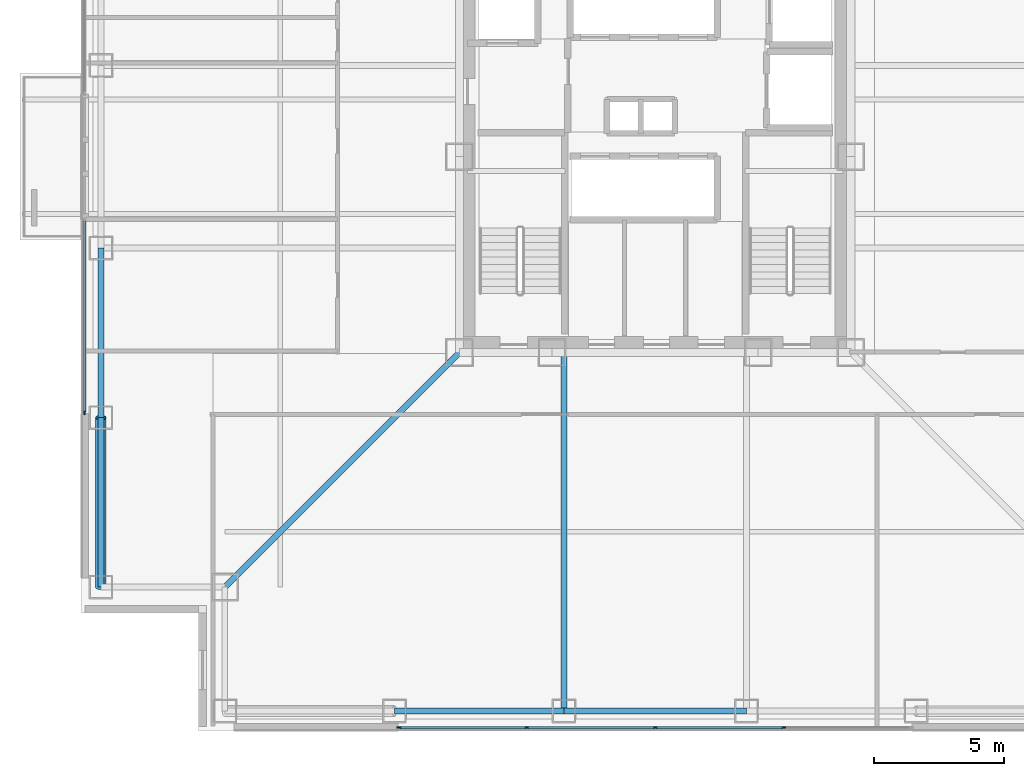
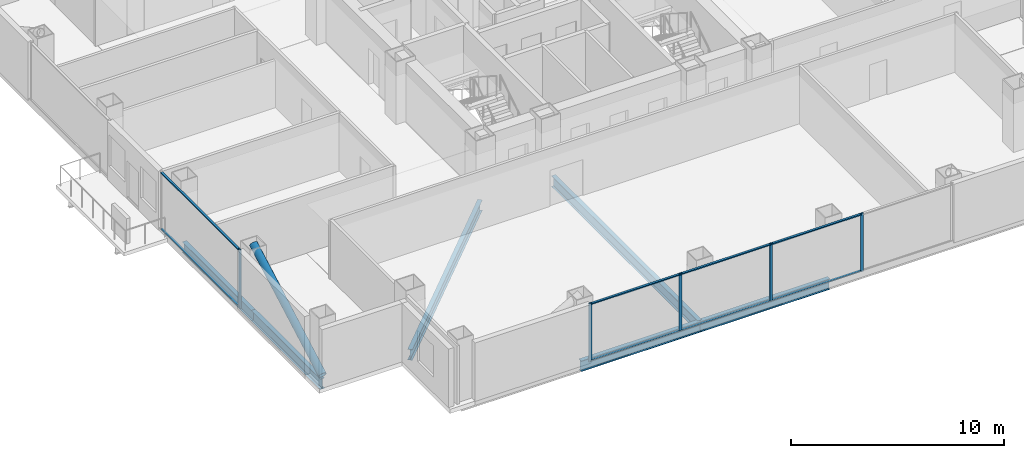
# One storey, part 2 of 16: 14 members, 6 beams, 2 elements without a shape of their own.
"""IFC4 building model written with IfcOpenShell, lengths in metres."""

from ifc_helpers import new_model, si_unit, direction, frame, origin, origin_2d, place, context, subcontext, project, spatial, rectangle, hollow_circle, i_section, extrude, material, layer, layer_set, material_profile, profile_set, type_object, element, aggregate, save


model = new_model("IFC4")

# Units and contexts
model_context = context("Model", 3, precision=1e-05, world=origin(), true_north=direction((0.0, 1.0)))
body_context = subcontext(model_context, "Body", "Model", "MODEL_VIEW")
ifc_project = project(units=[si_unit("LENGTHUNIT", "METRE"), si_unit("AREAUNIT", "SQUARE_METRE"), si_unit("VOLUMEUNIT", "CUBIC_METRE"), si_unit("PLANEANGLEUNIT", "RADIAN"), si_unit("MASSUNIT", "GRAM", prefix="KILO")], contexts=[model_context])

# Site, building, storey
site_placement = place(None, origin())
site = spatial("IfcSite", under=ifc_project, at=site_placement, CompositionType="ELEMENT")
building_placement = place(site_placement, origin())
building = spatial("IfcBuilding", under=site, at=building_placement, Name="Trevonay Congress Spire", CompositionType="ELEMENT")
storey_placement = place(building_placement, frame((0.0, 0.0, 144.39990234375)))
storey = spatial("IfcBuildingStorey", under=building, at=storey_placement, Name="L37", CompositionType="ELEMENT", Elevation=144.39990234375)

# Beams
ifc_material_1 = material(Name="Steel ASTM A572 Grade 50", Category="steel")
ifc_material_profile_1 = material_profile(ifc_material_1, i_section(OverallWidth=0.22998046875, OverallDepth=0.616943359375, WebThickness=0.01318359375, FlangeThickness=0.022216796875, FilletRadius=0.01611328125, at=origin_2d()), Name="W610x140")
ifc_profile_set_1 = profile_set([ifc_material_profile_1], Name="Steel ASTM A572 Grade 50")
beam_type_1 = type_object("IfcBeamType", Name="BM-GIRD-W610X140", PredefinedType="BEAM", material=ifc_profile_set_1)
beam_1_placement = place(storey_placement, frame((-7.5, -7.5, -0.54833984375), z_axis=(-0.707106781187, -0.707106781187, 0.0), x_axis=(0.707106781187, -0.707106781187, 0.0)))
element("IfcBeam", 1, at=beam_1_placement, inside=storey, type_object=beam_type_1, Name="L37 structural beam BM-L37-CDSW", PredefinedType="BEAM", context=body_context, shape_type="SweptSolid", body=[
    extrude(i_section(OverallWidth=0.22998046875, OverallDepth=0.616943359375, WebThickness=0.01318359375, FlangeThickness=0.022216796875, FilletRadius=0.01611328125, at=origin_2d()), origin(), (0.0, 0.0, 1.0), 12.72802734375),
])
beam_2_placement = place(storey_placement, frame((-3.5, -7.5, -0.54833984375), z_axis=(0.0, -1.0, 0.0), x_axis=(1.0, 0.0, 0.0)))
element("IfcBeam", 2, at=beam_2_placement, inside=storey, type_object=beam_type_1, Name="L37 structural beam BM-L37-GS-M", PredefinedType="BEAM", context=body_context, shape_type="SweptSolid", body=[
    extrude(i_section(OverallWidth=0.22998046875, OverallDepth=0.616943359375, WebThickness=0.01318359375, FlangeThickness=0.022216796875, FilletRadius=0.01611328125, at=origin_2d()), origin(), (0.0, 0.0, 1.0), 13.75),
])
ifc_material_profile_2 = material_profile(ifc_material_1, i_section(OverallWidth=0.22802734375, OverallDepth=0.60791015625, WebThickness=0.01123046875, FlangeThickness=0.017333984375, FilletRadius=0.01611328125, at=origin_2d()), Name="W610x113")
ifc_profile_set_2 = profile_set([ifc_material_profile_2], Name="Steel ASTM A572 Grade 50")
beam_type_2 = type_object("IfcBeamType", Name="BM-RING-W610X113", PredefinedType="BEAM", material=ifc_profile_set_2)
for number, where, z_axis, x_axis, name in (
    (3, (-21.25, -16.5, -0.5439453125), (0.0, 1.0, 0.0), (-1.0, 0.0, 0.0), "L37 structural beam BM-L37-PW1"),
    (4, (-10.0, -21.25, -0.5439453125), (1.0, 0.0, 0.0), (0.0, 1.0, 0.0), "L37 structural beam BM-L37-PS2"),
    (5, (-21.25, -10.0, -0.5439453125), (0.0, 1.0, 0.0), (-1.0, 0.0, 0.0), "L37 structural beam BM-L37-PW2"),
):
    element("IfcBeam", number, at=place(storey_placement, frame(where, z_axis=z_axis, x_axis=x_axis)), inside=storey, type_object=beam_type_2, Name=name, PredefinedType="BEAM", context=body_context, shape_type="SweptSolid", body=[
        extrude(i_section(OverallWidth=0.22802734375, OverallDepth=0.60791015625, WebThickness=0.01123046875, FlangeThickness=0.017333984375, FilletRadius=0.01611328125, at=origin_2d()), origin(), (0.0, 0.0, 1.0), 6.5),
    ])
beam_3_placement = place(storey_placement, frame((-3.5, -21.25, -0.5439453125), z_axis=(1.0, 0.0, 0.0), x_axis=(0.0, 1.0, 0.0)))
element("IfcBeam", 6, at=beam_3_placement, inside=storey, type_object=beam_type_2, Name="L37 structural beam BM-L37-PS3", PredefinedType="BEAM", context=body_context, shape_type="SweptSolid", body=[
    extrude(i_section(OverallWidth=0.22802734375, OverallDepth=0.60791015625, WebThickness=0.01123046875, FlangeThickness=0.017333984375, FilletRadius=0.01611328125, at=origin_2d()), origin(), (0.0, 0.0, 1.0), 7.0),
])

# Curtain wall, members
ifc_material_2 = material(Name="Pale Anodised Aluminium EN AW-6063-T6", Category="aluminium")
ifc_layer = layer(ifc_material_2, 0.175048828125, Name="Pale Anodised Aluminium EN AW-6063-T6")
ifc_layer_set = layer_set([ifc_layer], Name="Pale Anodised Aluminium EN AW-6063-T6")
curtain_wall_type = type_object("IfcCurtainWallType", Name="CW-SYS03-CONGRESS-PALE-METAL", PredefinedType="NOTDEFINED", material=ifc_layer_set)
curtain_wall_1_placement = place(storey_placement, origin())
curtain_wall_1 = element("IfcCurtainWall", 7, at=curtain_wall_1_placement, inside=storey, type_object=curtain_wall_type, Name="L37 S unitised curtain wall", PredefinedType="NOTDEFINED")
ifc_material_profile_3 = material_profile(ifc_material_2, rectangle(XDim=0.06005859375, YDim=0.159912109375, at=origin_2d()), Name="CW-MULLION-160-ALUMINIUM")
ifc_profile_set_3 = profile_set([ifc_material_profile_3], Name="Pale Anodised Aluminium EN AW-6063-T6")
member_type_1 = type_object("IfcMemberType", Name="CW-MULLION-160-ALUMINIUM", PredefinedType="MULLION", material=ifc_profile_set_3)
member_1_placement = place(storey_placement, frame((-9.820068359375, -21.8798828125, 0.0), z_axis=(0.0, 0.0, 1.0), x_axis=(0.0, 1.0, 0.0)))
member_1 = element("IfcMember", 8, at=member_1_placement, type_object=member_type_1, Name="CW03 mullion 1", PredefinedType="MULLION", context=body_context, shape_type="SweptSolid", body=[
    extrude(rectangle(XDim=0.06005859375, YDim=0.159912109375, at=origin_2d()), origin(), (0.0, 0.0, 1.0), 3.360107421875),
])
member_2_placement = place(storey_placement, frame((-4.925048828125, -21.8798828125, 0.0), z_axis=(0.0, 0.0, 1.0), x_axis=(0.0, 1.0, 0.0)))
member_2 = element("IfcMember", 9, at=member_2_placement, type_object=member_type_1, Name="CW03 mullion 2", PredefinedType="MULLION", context=body_context, shape_type="SweptSolid", body=[
    extrude(rectangle(XDim=0.06005859375, YDim=0.159912109375, at=origin_2d()), origin(), (0.0, 0.0, 1.0), 3.360107421875),
])
member_3_placement = place(storey_placement, frame((0.0, -21.8798828125, 0.0), z_axis=(0.0, 0.0, 1.0), x_axis=(0.0, 1.0, 0.0)))
member_3 = element("IfcMember", 10, at=member_3_placement, type_object=member_type_1, Name="CW03 mullion 3", PredefinedType="MULLION", context=body_context, shape_type="SweptSolid", body=[
    extrude(rectangle(XDim=0.06005859375, YDim=0.159912109375, at=origin_2d()), origin(), (0.0, 0.0, 1.0), 3.360107421875),
])
member_4_placement = place(storey_placement, frame((4.925048828125, -21.8798828125, 0.0), z_axis=(0.0, 0.0, 1.0), x_axis=(0.0, 1.0, 0.0)))
member_4 = element("IfcMember", 11, at=member_4_placement, type_object=member_type_1, Name="CW03 mullion 4", PredefinedType="MULLION", context=body_context, shape_type="SweptSolid", body=[
    extrude(rectangle(XDim=0.06005859375, YDim=0.159912109375, at=origin_2d()), origin(), (0.0, 0.0, 1.0), 3.360107421875),
])

# Curtain wall, member
curtain_wall_2_placement = place(storey_placement, origin())
curtain_wall_2 = element("IfcCurtainWall", 12, at=curtain_wall_2_placement, inside=storey, type_object=curtain_wall_type, Name="L37 WA unitised curtain wall", PredefinedType="NOTDEFINED")
member_5_placement = place(storey_placement, frame((-21.8798828125, -9.820068359375, 0.0), z_axis=(0.0, 0.0, 1.0), x_axis=(-1.0, 0.0, 0.0)))
member_5 = element("IfcMember", 13, at=member_5_placement, type_object=member_type_1, Name="CW03 mullion 1", PredefinedType="MULLION", context=body_context, shape_type="SweptSolid", body=[
    extrude(rectangle(XDim=0.06005859375, YDim=0.159912109375, at=origin_2d()), origin(), (0.0, 0.0, 1.0), 3.360107421875),
])

# Member
ifc_material_profile_4 = material_profile(ifc_material_2, rectangle(XDim=0.1201171875, YDim=0.06005859375, at=origin_2d()), Name="CW-TRANSOM-120-ALUMINIUM")
ifc_profile_set_4 = profile_set([ifc_material_profile_4], Name="Pale Anodised Aluminium EN AW-6063-T6")
member_type_2 = type_object("IfcMemberType", Name="CW-TRANSOM-120-ALUMINIUM", PredefinedType="USERDEFINED", material=ifc_profile_set_4)
member_6_placement = place(storey_placement, frame((-9.7900390625, -21.8798828125, 0.06005859375), z_axis=(1.0, 0.0, 0.0), x_axis=(0.0, 1.0, 0.0)))
member_6 = element("IfcMember", 14, at=member_6_placement, type_object=member_type_2, Name="CW03 transom 1.1", ObjectType="TRANSOM", PredefinedType="USERDEFINED", context=body_context, shape_type="SweptSolid", body=[
    extrude(rectangle(XDim=0.1201171875, YDim=0.06005859375, at=origin_2d()), origin(), (0.0, 0.0, 1.0), 4.8349609375),
])

member_7_placement = place(storey_placement, frame((-9.7900390625, -21.8798828125, 3.300048828125), z_axis=(1.0, 0.0, 0.0), x_axis=(0.0, 1.0, 0.0)))
member_7 = element("IfcMember", 15, at=member_7_placement, type_object=member_type_2, Name="CW03 transom 1.2", ObjectType="TRANSOM", PredefinedType="USERDEFINED", context=body_context, shape_type="SweptSolid", body=[
    extrude(rectangle(XDim=0.1201171875, YDim=0.06005859375, at=origin_2d()), origin(), (0.0, 0.0, 1.0), 4.8349609375),
])

member_8_placement = place(storey_placement, frame((-4.89501953125, -21.8798828125, 0.06005859375), z_axis=(1.0, 0.0, 0.0), x_axis=(0.0, 1.0, 0.0)))
member_8 = element("IfcMember", 16, at=member_8_placement, type_object=member_type_2, Name="CW03 transom 2.1", ObjectType="TRANSOM", PredefinedType="USERDEFINED", context=body_context, shape_type="SweptSolid", body=[
    extrude(rectangle(XDim=0.1201171875, YDim=0.06005859375, at=origin_2d()), origin(), (0.0, 0.0, 1.0), 4.864990234375),
])

member_9_placement = place(storey_placement, frame((-4.89501953125, -21.8798828125, 3.300048828125), z_axis=(1.0, 0.0, 0.0), x_axis=(0.0, 1.0, 0.0)))
member_9 = element("IfcMember", 17, at=member_9_placement, type_object=member_type_2, Name="CW03 transom 2.2", ObjectType="TRANSOM", PredefinedType="USERDEFINED", context=body_context, shape_type="SweptSolid", body=[
    extrude(rectangle(XDim=0.1201171875, YDim=0.06005859375, at=origin_2d()), origin(), (0.0, 0.0, 1.0), 4.864990234375),
])

member_10_placement = place(storey_placement, frame((0.030029296875, -21.8798828125, 0.06005859375), z_axis=(1.0, 0.0, 0.0), x_axis=(0.0, 1.0, 0.0)))
member_10 = element("IfcMember", 18, at=member_10_placement, type_object=member_type_2, Name="CW03 transom 3.1", ObjectType="TRANSOM", PredefinedType="USERDEFINED", context=body_context, shape_type="SweptSolid", body=[
    extrude(rectangle(XDim=0.1201171875, YDim=0.06005859375, at=origin_2d()), origin(), (0.0, 0.0, 1.0), 4.864990234375),
])

member_11_placement = place(storey_placement, frame((0.030029296875, -21.8798828125, 3.300048828125), z_axis=(1.0, 0.0, 0.0), x_axis=(0.0, 1.0, 0.0)))
member_11 = element("IfcMember", 19, at=member_11_placement, type_object=member_type_2, Name="CW03 transom 3.2", ObjectType="TRANSOM", PredefinedType="USERDEFINED", context=body_context, shape_type="SweptSolid", body=[
    extrude(rectangle(XDim=0.1201171875, YDim=0.06005859375, at=origin_2d()), origin(), (0.0, 0.0, 1.0), 4.864990234375),
])

aggregate(curtain_wall_1, [member_1, member_2, member_3, member_4, member_6, member_7, member_8, member_9, member_10, member_11])

member_12_placement = place(storey_placement, frame((-21.8798828125, -9.7900390625, 0.06005859375), z_axis=(0.0, 1.0, 0.0), x_axis=(-1.0, 0.0, 0.0)))
member_12 = element("IfcMember", 20, at=member_12_placement, type_object=member_type_2, Name="CW03 transom 1.1", ObjectType="TRANSOM", PredefinedType="USERDEFINED", context=body_context, shape_type="SweptSolid", body=[
    extrude(rectangle(XDim=0.1201171875, YDim=0.06005859375, at=origin_2d()), origin(), (0.0, 0.0, 1.0), 7.330078125),
])

member_13_placement = place(storey_placement, frame((-21.8798828125, -9.7900390625, 3.300048828125), z_axis=(0.0, 1.0, 0.0), x_axis=(-1.0, 0.0, 0.0)))
member_13 = element("IfcMember", 21, at=member_13_placement, type_object=member_type_2, Name="CW03 transom 1.2", ObjectType="TRANSOM", PredefinedType="USERDEFINED", context=body_context, shape_type="SweptSolid", body=[
    extrude(rectangle(XDim=0.1201171875, YDim=0.06005859375, at=origin_2d()), origin(), (0.0, 0.0, 1.0), 7.330078125),
])

aggregate(curtain_wall_2, [member_5, member_12, member_13])

ifc_material_3 = material(Name="Steel ASTM A500 Grade C", Category="steel")
ifc_material_profile_5 = material_profile(ifc_material_3, hollow_circle(Radius=0.203125, WallThickness=0.02001953125, at=origin_2d()), Name="CHS 406.4x20")
ifc_profile_set_5 = profile_set([ifc_material_profile_5], Name="Steel ASTM A500 Grade C")
member_type_3 = type_object("IfcMemberType", Name="MBR-TUBE-CHS406", PredefinedType="BRACE", material=ifc_profile_set_5)
member_14_placement = place(storey_placement, frame((-21.25, -16.5, -0.0498046875), z_axis=(0.0, 0.874799711691, 0.484484741169), x_axis=(-1.0, 0.0, 0.0)))
element("IfcMember", 22, at=member_14_placement, inside=storey, type_object=member_type_3, Name="L37 perimeter braced-tube diagonal W0", PredefinedType="BRACE", context=body_context, shape_type="SweptSolid", body=[
    extrude(hollow_circle(Radius=0.203125, WallThickness=0.02001953125, at=origin_2d()), origin(), (0.0, 0.0, 1.0), 7.43017578125),
])

save(model, "model.ifc")
